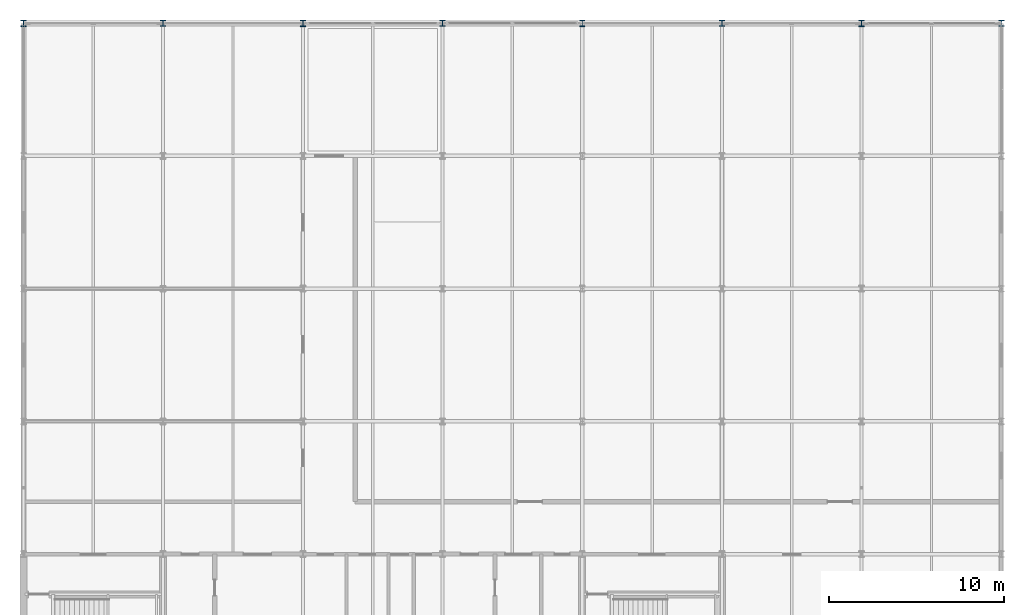
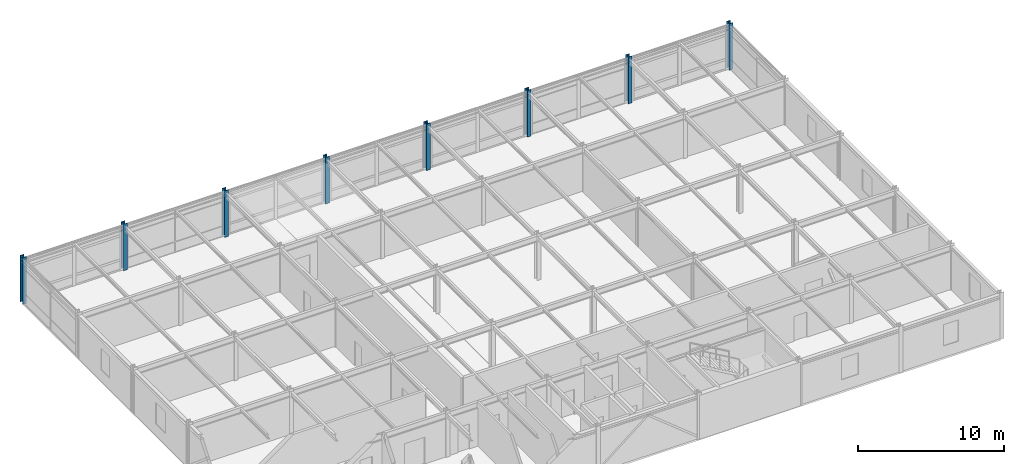
# One storey, part 3 of 16: 8 columns.
"""IFC4 building model written with IfcOpenShell, lengths in metres."""

from ifc_helpers import new_model, si_unit, direction, frame, origin, origin_2d, place, context, subcontext, project, spatial, i_section, extrude, material, material_profile, profile_set, type_object, element, save


model = new_model("IFC4")

# Units and contexts
model_context = context("Model", 3, precision=1e-05, world=origin(), true_north=direction((0.0, 1.0)))
body_context = subcontext(model_context, "Body", "Model", "MODEL_VIEW")
ifc_project = project(units=[si_unit("LENGTHUNIT", "METRE"), si_unit("AREAUNIT", "SQUARE_METRE"), si_unit("VOLUMEUNIT", "CUBIC_METRE"), si_unit("PLANEANGLEUNIT", "RADIAN"), si_unit("MASSUNIT", "GRAM", prefix="KILO")], contexts=[model_context])

# Site, building, storey
site_placement = place(None, origin())
site = spatial("IfcSite", under=ifc_project, at=site_placement, CompositionType="ELEMENT")
building_placement = place(site_placement, origin())
building = spatial("IfcBuilding", under=site, at=building_placement, Name="Shalkamar Park Central Library", CompositionType="ELEMENT")
storey_placement = place(building_placement, frame((0.0, 0.0, 43.800048828125)))
storey = spatial("IfcBuildingStorey", under=building, at=storey_placement, Name="L11", CompositionType="ELEMENT", Elevation=43.800048828125)

# Columns
ifc_material = material(Name="Steel S355", Category="steel")
ifc_material_profile_1 = material_profile(ifc_material, i_section(OverallWidth=0.30908203125, OverallDepth=0.35888671875, WebThickness=0.02099609375, FlangeThickness=0.0400390625, FilletRadius=0.027099609375, at=origin_2d()), Name="HEM 320")
ifc_profile_set_1 = profile_set([ifc_material_profile_1], Name="Steel S355")
column_type_1 = type_object("IfcColumnType", Name="Column Steel HEM320", PredefinedType="COLUMN", material=ifc_profile_set_1)
for number, where, z_axis, x_axis, name in (
    (1, (173.0, 285.60009765625, 0.0), (0.0, 0.0, 1.0), (1.0, 0.0, 0.0), "Column 08/G (L11)"),
    (2, (189.0, 285.60009765625, 0.0), (0.0, 0.0, 1.0), (1.0, 0.0, 0.0), "Column 10/G (L11)"),
    (3, (205.0, 285.60009765625, 0.0), (0.0, 0.0, 1.0), (1.0, 0.0, 0.0), "Column 12/G (L11)"),
    (4, (221.0, 285.60009765625, 0.0), (0.0, 0.0, 1.0), (1.0, 0.0, 0.0), "Column 14/G (L11)"),
):
    element("IfcColumn", number, at=place(storey_placement, frame(where, z_axis=z_axis, x_axis=x_axis)), inside=storey, type_object=column_type_1, Name=name, PredefinedType="COLUMN", context=body_context, shape_type="SweptSolid", body=[
        extrude(i_section(OverallWidth=0.30908203125, OverallDepth=0.35888671875, WebThickness=0.02099609375, FlangeThickness=0.0400390625, FilletRadius=0.027099609375, at=origin_2d()), origin(), (0.0, 0.0, 1.0), 3.89990234375),
    ])
ifc_material_profile_2 = material_profile(ifc_material, i_section(OverallWidth=0.30908203125, OverallDepth=0.376953125, WebThickness=0.02099609375, FlangeThickness=0.0400390625, FilletRadius=0.027099609375, at=origin_2d()), Name="HEM 340")
ifc_profile_set_2 = profile_set([ifc_material_profile_2], Name="Steel S355")
column_type_2 = type_object("IfcColumnType", Name="Column Steel HEM340", PredefinedType="COLUMN", material=ifc_profile_set_2)
for number, where, z_axis, x_axis, name in (
    (5, (165.0, 285.60009765625, 0.0), (0.0, 0.0, 1.0), (1.0, 0.0, 0.0), "Column 07/G (L11)"),
    (6, (181.0, 285.60009765625, 0.0), (0.0, 0.0, 1.0), (1.0, 0.0, 0.0), "Column 09/G (L11)"),
    (7, (197.0, 285.60009765625, 0.0), (0.0, 0.0, 1.0), (1.0, 0.0, 0.0), "Column 11/G (L11)"),
    (8, (213.0, 285.60009765625, 0.0), (0.0, 0.0, 1.0), (1.0, 0.0, 0.0), "Column 13/G (L11)"),
):
    element("IfcColumn", number, at=place(storey_placement, frame(where, z_axis=z_axis, x_axis=x_axis)), inside=storey, type_object=column_type_2, Name=name, PredefinedType="COLUMN", context=body_context, shape_type="SweptSolid", body=[
        extrude(i_section(OverallWidth=0.30908203125, OverallDepth=0.376953125, WebThickness=0.02099609375, FlangeThickness=0.0400390625, FilletRadius=0.027099609375, at=origin_2d()), origin(), (0.0, 0.0, 1.0), 3.89990234375),
    ])

save(model, "model.ifc")
